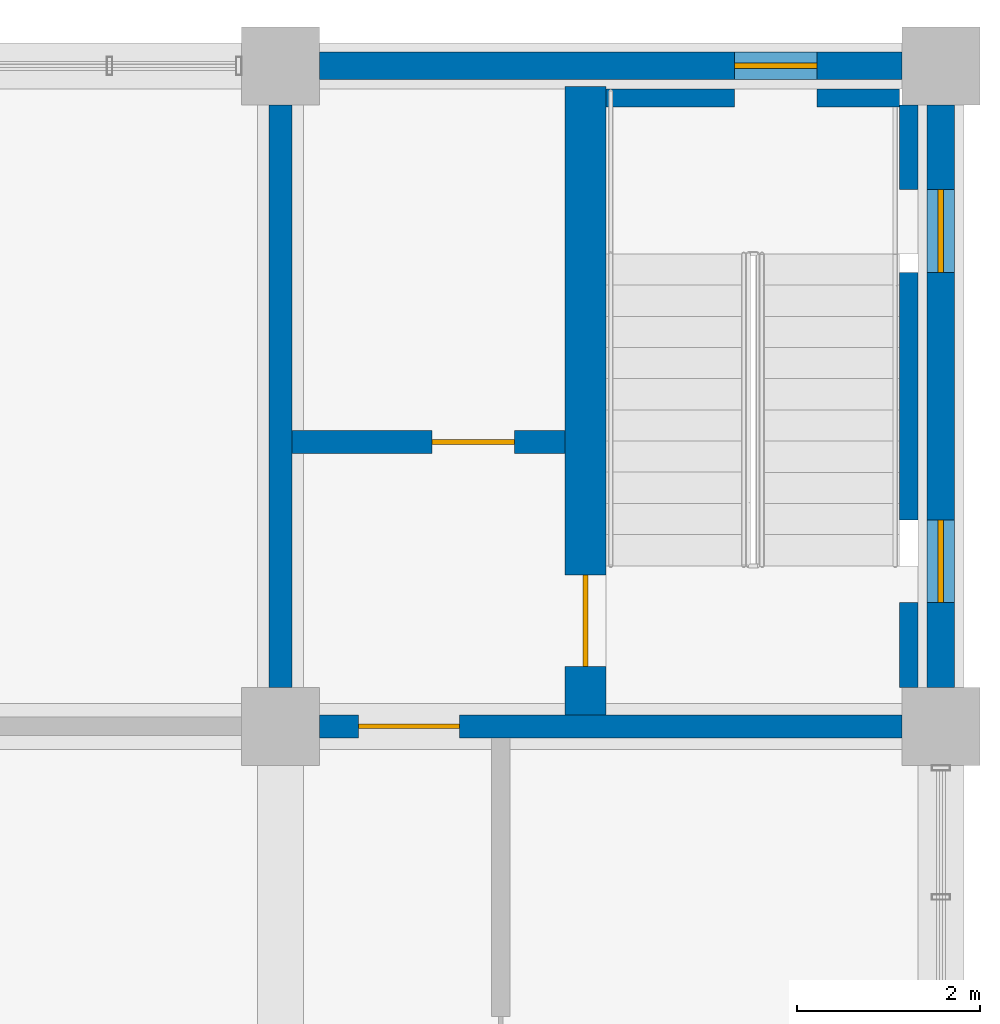
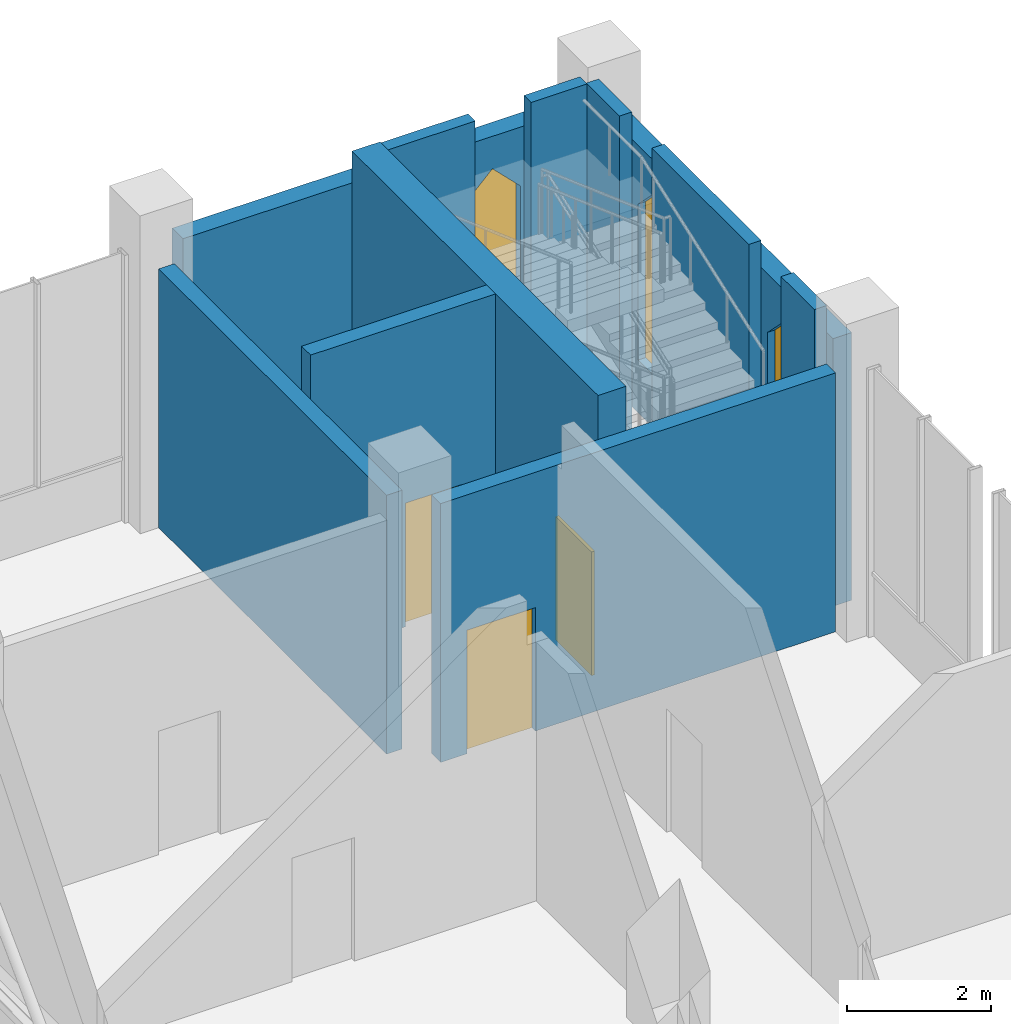
# One storey, part 76 of 83: 11 walls, 3 doors, 3 windows, 6 openings.
"""IFC4 building model written with IfcOpenShell, lengths in metres."""

from ifc_helpers import new_model, si_unit, direction, frame, frame_2d, origin, place, context, subcontext, project, spatial, polyline, rectangle, outline, extrude, material, layer, layer_set, type_object, element, fill, save


model = new_model("IFC4")

# Units and contexts
model_context = context("Model", 3, precision=1e-05, world=origin(), true_north=direction((0.0, 1.0)))
body_context = subcontext(model_context, "Body", "Model", "MODEL_VIEW")
ifc_project = project(units=[si_unit("LENGTHUNIT", "METRE"), si_unit("AREAUNIT", "SQUARE_METRE"), si_unit("VOLUMEUNIT", "CUBIC_METRE"), si_unit("PLANEANGLEUNIT", "RADIAN"), si_unit("MASSUNIT", "GRAM", prefix="KILO")], contexts=[model_context])

# Site, building, storey
site_placement = place(None, origin())
site = spatial("IfcSite", under=ifc_project, at=site_placement, CompositionType="ELEMENT")
building_placement = place(site_placement, origin())
building = spatial("IfcBuilding", under=site, at=building_placement, Name="Silangan Lancet Faculty of Sciences", CompositionType="ELEMENT")
storey_placement = place(building_placement, frame((0.0, 0.0, 11.39990234375)))
storey = spatial("IfcBuildingStorey", under=building, at=storey_placement, Name="L02", CompositionType="ELEMENT", Elevation=11.39990234375)

# Wall, openings, windows
ifc_material_1 = material(Name="Concrete C40/50 precast", Category="concrete")
ifc_layer_1 = layer(ifc_material_1, 0.300048828125)
ifc_layer_set_1 = layer_set([ifc_layer_1], Name="Concrete C40/50 precast")
wall_type_1 = type_object("IfcWallType", Name="EW2 Turret enclosure wall", PredefinedType="STANDARD", material=ifc_layer_set_1)
wall_1_placement = place(storey_placement, frame((86.39990234375, 50.824951171875, 0.0), z_axis=(0.0, 0.0, 1.0), x_axis=(0.0, 1.0, 0.0)))
wall_1 = element("IfcWall", 1, at=wall_1_placement, inside=storey, type_object=wall_type_1, Name="EW-L02-E-EB-07", PredefinedType="STANDARD", context=body_context, shape_type="SweptSolid", body=[
    extrude(rectangle(XDim=6.35009765625, YDim=0.300048828125, at=frame_2d((3.175048828125, 0.0))), origin(), (0.0, 0.0, 1.0), 4.550048828125),
])
opening_1_placement = place(wall_1_placement, frame((0.925048828125, 0.0, 0.89990234375)))
opening_1 = element("IfcOpeningElement", 2, at=opening_1_placement, cuts=wall_1, Name="Opening W8", PredefinedType="OPENING", context=body_context, shape_type="SweptSolid", body=[
    extrude(outline(polyline([(0.0, 0.0), (0.89990234375, 0.0), (0.89990234375, 2.650146484375), (0.449951171875, 3.10009765625), (0.0, 2.650146484375), (0.0, 0.0)])), frame((0.0, 0.159912109375, 0.0), z_axis=(0.0, -1.0, 0.0), x_axis=(1.0, 0.0, 0.0)), (0.0, 0.0, 1.0), 0.320068359375),
])
opening_2_placement = place(wall_1_placement, frame((4.52490234375, 0.0, 0.89990234375)))
opening_2 = element("IfcOpeningElement", 3, at=opening_2_placement, cuts=wall_1, Name="Opening W8", PredefinedType="OPENING", context=body_context, shape_type="SweptSolid", body=[
    extrude(outline(polyline([(0.0, 0.0), (0.89990234375, 0.0), (0.89990234375, 2.650146484375), (0.449951171875, 3.10009765625), (0.0, 2.650146484375), (0.0, 0.0)])), frame((0.0, 0.159912109375, 0.0), z_axis=(0.0, -1.0, 0.0), x_axis=(1.0, 0.0, 0.0)), (0.0, 0.0, 1.0), 0.320068359375),
])
ifc_material_2 = material(Name="Aluminium frame, laminated double glazing", Category="aluminium")
window_type = type_object("IfcWindowType", Name="W8 Lancet window 900 x 3100", PartitioningType="SINGLE_PANEL", PredefinedType="WINDOW", material=ifc_material_2)
window_1_placement = place(opening_1_placement, origin())
window_1 = element("IfcWindow", 4, at=window_1_placement, inside=storey, type_object=window_type, Name="WIN-L02-E-EB-07a", OverallHeight=3.10009765625, OverallWidth=0.89990234375, PartitioningType="SINGLE_PANEL", PredefinedType="WINDOW", context=body_context, shape_type="SweptSolid", body=[
    extrude(outline(polyline([(0.0, 0.0), (0.89990234375, 0.0), (0.89990234375, 2.650146484375), (0.449951171875, 3.10009765625), (0.0, 2.650146484375), (0.0, 0.0)])), frame((0.0, 0.030029296875, 0.0), z_axis=(0.0, -1.0, 0.0), x_axis=(1.0, 0.0, 0.0)), (0.0, 0.0, 1.0), 0.06005859375),
])
fill(opening_1, window_1)
window_2_placement = place(opening_2_placement, origin())
window_2 = element("IfcWindow", 5, at=window_2_placement, inside=storey, type_object=window_type, Name="WIN-L02-E-EB-07b", OverallHeight=3.10009765625, OverallWidth=0.89990234375, PartitioningType="SINGLE_PANEL", PredefinedType="WINDOW", context=body_context, shape_type="SweptSolid", body=[
    extrude(outline(polyline([(0.0, 0.0), (0.89990234375, 0.0), (0.89990234375, 2.650146484375), (0.449951171875, 3.10009765625), (0.0, 2.650146484375), (0.0, 0.0)])), frame((0.0, 0.030029296875, 0.0), z_axis=(0.0, -1.0, 0.0), x_axis=(1.0, 0.0, 0.0)), (0.0, 0.0, 1.0), 0.06005859375),
])
fill(opening_2, window_2)

# Wall, opening, window
wall_2_placement = place(storey_placement, frame((85.97509765625, 57.60009765625, 0.0), z_axis=(0.0, 0.0, 1.0), x_axis=(-1.0, 0.0, 0.0)))
wall_2 = element("IfcWall", 6, at=wall_2_placement, inside=storey, type_object=wall_type_1, Name="EW-L02-N-EB-00", PredefinedType="STANDARD", context=body_context, shape_type="SweptSolid", body=[
    extrude(rectangle(XDim=6.35009765625, YDim=0.300048828125, at=frame_2d((3.175048828125, 0.0))), origin(), (0.0, 0.0, 1.0), 4.550048828125),
])
opening_3_placement = place(wall_2_placement, frame((0.925048828125, 0.0, 0.89990234375)))
opening_3 = element("IfcOpeningElement", 7, at=opening_3_placement, cuts=wall_2, Name="Opening W8", PredefinedType="OPENING", context=body_context, shape_type="SweptSolid", body=[
    extrude(outline(polyline([(0.0, 0.0), (0.89990234375, 0.0), (0.89990234375, 2.650146484375), (0.449951171875, 3.10009765625), (0.0, 2.650146484375), (0.0, 0.0)])), frame((0.0, 0.159912109375, 0.0), z_axis=(0.0, -1.0, 0.0), x_axis=(1.0, 0.0, 0.0)), (0.0, 0.0, 1.0), 0.320068359375),
])
window_3_placement = place(opening_3_placement, origin())
window_3 = element("IfcWindow", 8, at=window_3_placement, inside=storey, type_object=window_type, Name="WIN-L02-N-EB-00a", OverallHeight=3.10009765625, OverallWidth=0.89990234375, PartitioningType="SINGLE_PANEL", PredefinedType="WINDOW", context=body_context, shape_type="SweptSolid", body=[
    extrude(outline(polyline([(0.0, 0.0), (0.89990234375, 0.0), (0.89990234375, 2.650146484375), (0.449951171875, 3.10009765625), (0.0, 2.650146484375), (0.0, 0.0)])), frame((0.0, 0.030029296875, 0.0), z_axis=(0.0, -1.0, 0.0), x_axis=(1.0, 0.0, 0.0)), (0.0, 0.0, 1.0), 0.06005859375),
])
fill(opening_3, window_3)

# Wall, opening, door
ifc_material_3 = material(Name="Concrete C40/50", Category="concrete")
ifc_layer_2 = layer(ifc_material_3, 0.449951171875)
ifc_layer_set_2 = layer_set([ifc_layer_2], Name="Concrete C40/50")
wall_type_2 = type_object("IfcWallType", Name="TURRET CORE WALL RC 450", PredefinedType="SHEAR", material=ifc_layer_set_2)
wall_3_placement = place(storey_placement, frame((82.52490234375, 50.52490234375, 0.0), z_axis=(0.0, 0.0, 1.0), x_axis=(0.0, 1.0, 0.0)))
wall_3 = element("IfcWall", 9, at=wall_3_placement, inside=storey, type_object=wall_type_2, Name="WALL-L02-EB-B-WELL", PredefinedType="SHEAR", context=body_context, shape_type="SweptSolid", body=[
    extrude(rectangle(XDim=6.85009765625, YDim=0.449951171875, at=frame_2d((3.425048828125, 0.0))), origin(), (0.0, 0.0, 1.0), 5.150146484375),
])
opening_4_placement = place(wall_3_placement, frame((0.52490234375, 0.0, 0.0)))
opening_4 = element("IfcOpeningElement", 10, at=opening_4_placement, cuts=wall_3, Name="Opening L02-704", PredefinedType="OPENING", context=body_context, shape_type="SweptSolid", body=[
    extrude(rectangle(XDim=1.0, YDim=2.10009765625, at=frame_2d((0.5, 1.050048828125))), frame((0.0, 0.23486328125, 0.0), z_axis=(0.0, -1.0, 0.0), x_axis=(1.0, 0.0, 0.0)), (0.0, 0.0, 1.0), 0.469970703125),
])
ifc_material_4 = material(Name="Steel fire door set", Category="steel")
door_type_1 = type_object("IfcDoorType", Name="D71 Stair enclosure door 1000x2100", OperationType="SINGLE_SWING_LEFT", PredefinedType="DOOR", material=ifc_material_4)
door_1_placement = place(opening_4_placement, frame((1.0, 0.0, 0.0), z_axis=(0.0, 0.0, 1.0), x_axis=(-1.0, 0.0, 0.0)))
door_1 = element("IfcDoor", 11, at=door_1_placement, inside=storey, type_object=door_type_1, Name="Stair enclosure door EB-B L02", OperationType="SINGLE_SWING_RIGHT", OverallHeight=2.10009765625, OverallWidth=1.0, PredefinedType="DOOR", context=body_context, shape_type="SweptSolid", body=[
    extrude(rectangle(XDim=1.0, YDim=2.10009765625, at=frame_2d((0.5, 1.050048828125))), frame((0.0, 0.025146484375, 0.0), z_axis=(0.0, -1.0, 0.0), x_axis=(1.0, 0.0, 0.0)), (0.0, 0.0, 1.0), 0.050048828125),
])
fill(opening_4, door_1)

# Walls
ifc_material_5 = material(Name="Concrete C40/50", Category="concrete")
ifc_layer_3 = layer(ifc_material_5, 0.199951171875)
ifc_layer_set_3 = layer_set([ifc_layer_3], Name="Concrete C40/50")
wall_type_3 = type_object("IfcWallType", Name="TURRET LINING WALL RC 200", PredefinedType="SHEAR", material=ifc_layer_set_3)
wall_4_placement = place(storey_placement, frame((86.050048828125, 50.824951171875, -0.25), z_axis=(0.0, 0.0, 1.0), x_axis=(0.0, 1.0, 0.0)))
element("IfcWall", 12, at=wall_4_placement, inside=storey, type_object=wall_type_3, Name="WALL-L02-EB-B-WL", PredefinedType="SHEAR", context=body_context, shape_type="SweptSolid", body=[
    extrude(rectangle(XDim=0.925048828125, YDim=0.199951171875, at=frame_2d((0.46240234375, 0.0))), origin(), (0.0, 0.0, 1.0), 5.400146484375),
])
wall_5_placement = place(storey_placement, frame((86.050048828125, 52.64990234375, -0.25), z_axis=(0.0, 0.0, 1.0), x_axis=(0.0, 1.0, 0.0)))
element("IfcWall", 13, at=wall_5_placement, inside=storey, type_object=wall_type_3, Name="WALL-L02-EB-B-WL-2", PredefinedType="SHEAR", context=body_context, shape_type="SweptSolid", body=[
    extrude(rectangle(XDim=2.7001953125, YDim=0.199951171875, at=frame_2d((1.35009765625, 0.0))), origin(), (0.0, 0.0, 1.0), 5.400146484375),
])
wall_6_placement = place(storey_placement, frame((86.050048828125, 56.25, -0.25), z_axis=(0.0, 0.0, 1.0), x_axis=(0.0, 1.0, 0.0)))
element("IfcWall", 14, at=wall_6_placement, inside=storey, type_object=wall_type_3, Name="WALL-L02-EB-B-WL-3", PredefinedType="SHEAR", context=body_context, shape_type="SweptSolid", body=[
    extrude(rectangle(XDim=0.925048828125, YDim=0.199951171875, at=frame_2d((0.46240234375, 0.0))), origin(), (0.0, 0.0, 1.0), 5.400146484375),
])
wall_7_placement = place(storey_placement, frame((82.75, 57.25, -0.25), z_axis=(0.0, 0.0, 1.0), x_axis=(1.0, 0.0, 0.0)))
element("IfcWall", 15, at=wall_7_placement, inside=storey, type_object=wall_type_3, Name="WALL-L02-EB-B-WLD", PredefinedType="SHEAR", context=body_context, shape_type="SweptSolid", body=[
    extrude(rectangle(XDim=1.39990234375, YDim=0.199951171875, at=frame_2d((0.699951171875, 0.0))), origin(), (0.0, 0.0, 1.0), 5.400146484375),
])
wall_8_placement = place(storey_placement, frame((85.050048828125, 57.25, -0.25), z_axis=(0.0, 0.0, 1.0), x_axis=(1.0, 0.0, 0.0)))
element("IfcWall", 16, at=wall_8_placement, inside=storey, type_object=wall_type_3, Name="WALL-L02-EB-B-WLD-2", PredefinedType="SHEAR", context=body_context, shape_type="SweptSolid", body=[
    extrude(rectangle(XDim=0.89990234375, YDim=0.199951171875, at=frame_2d((0.449951171875, 0.0))), origin(), (0.0, 0.0, 1.0), 5.400146484375),
])

# Wall, opening, door
ifc_material_6 = material(Name="Concrete C40/50", Category="concrete")
ifc_layer_4 = layer(ifc_material_6, 0.25)
ifc_layer_set_4 = layer_set([ifc_layer_4], Name="Concrete C40/50")
wall_type_4 = type_object("IfcWallType", Name="TURRET WALL RC 250", PredefinedType="SHEAR", material=ifc_layer_set_4)
wall_9_placement = place(storey_placement, frame((79.625, 50.39990234375, 0.0), z_axis=(0.0, 0.0, 1.0), x_axis=(1.0, 0.0, 0.0)))
wall_9 = element("IfcWall", 17, at=wall_9_placement, inside=storey, type_object=wall_type_4, Name="WALL-L02-EB-B-V", PredefinedType="SHEAR", context=body_context, shape_type="SweptSolid", body=[
    extrude(rectangle(XDim=6.35009765625, YDim=0.25, at=frame_2d((3.175048828125, 0.0))), origin(), (0.0, 0.0, 1.0), 4.400146484375),
])
opening_5_placement = place(wall_9_placement, frame((0.425048828125, 0.0, 0.0)))
opening_5 = element("IfcOpeningElement", 18, at=opening_5_placement, cuts=wall_9, Name="Opening L02-705", PredefinedType="OPENING", context=body_context, shape_type="SweptSolid", body=[
    extrude(rectangle(XDim=1.10009765625, YDim=2.10009765625, at=frame_2d((0.550048828125, 1.050048828125))), frame((0.0, 0.135009765625, 0.0), z_axis=(0.0, -1.0, 0.0), x_axis=(1.0, 0.0, 0.0)), (0.0, 0.0, 1.0), 0.27001953125),
])
ifc_material_7 = material(Name="Steel fire door set", Category="steel")
door_type_2 = type_object("IfcDoorType", Name="D70 Stair vestibule door 1100x2100", OperationType="SINGLE_SWING_LEFT", PredefinedType="DOOR", material=ifc_material_7)
door_2_placement = place(opening_5_placement, origin())
door_2 = element("IfcDoor", 19, at=door_2_placement, inside=storey, type_object=door_type_2, Name="Stair vestibule door EB-B L02", OperationType="SINGLE_SWING_LEFT", OverallHeight=2.10009765625, OverallWidth=1.10009765625, PredefinedType="DOOR", context=body_context, shape_type="SweptSolid", body=[
    extrude(rectangle(XDim=1.10009765625, YDim=2.10009765625, at=frame_2d((0.550048828125, 1.050048828125))), frame((0.0, 0.02490234375, 0.0), z_axis=(0.0, -1.0, 0.0), x_axis=(1.0, 0.0, 0.0)), (0.0, 0.0, 1.0), 0.050048828125),
])
fill(opening_5, door_2)

# Wall
wall_10_placement = place(storey_placement, frame((79.199951171875, 50.824951171875, 0.0), z_axis=(0.0, 0.0, 1.0), x_axis=(0.0, 1.0, 0.0)))
element("IfcWall", 20, at=wall_10_placement, inside=storey, type_object=wall_type_4, Name="WALL-L02-EB-B-O", PredefinedType="SHEAR", context=body_context, shape_type="SweptSolid", body=[
    extrude(rectangle(XDim=6.35009765625, YDim=0.25, at=frame_2d((3.175048828125, 0.0))), origin(), (0.0, 0.0, 1.0), 4.400146484375),
])

# Wall, opening, door
wall_11_placement = place(storey_placement, frame((79.324951171875, 53.5, 0.0), z_axis=(0.0, 0.0, 1.0), x_axis=(1.0, 0.0, 0.0)))
wall_11 = element("IfcWall", 21, at=wall_11_placement, inside=storey, type_object=wall_type_4, Name="WALL-L02-EB-B-RISER", PredefinedType="SHEAR", context=body_context, shape_type="SweptSolid", body=[
    extrude(rectangle(XDim=2.97509765625, YDim=0.25, at=frame_2d((1.487548828125, 0.0))), origin(), (0.0, 0.0, 1.0), 5.150146484375),
])
opening_6_placement = place(wall_11_placement, frame((1.52490234375, 0.0, 0.0)))
opening_6 = element("IfcOpeningElement", 22, at=opening_6_placement, cuts=wall_11, Name="Opening L02-706", PredefinedType="OPENING", context=body_context, shape_type="SweptSolid", body=[
    extrude(rectangle(XDim=0.89990234375, YDim=2.10009765625, at=frame_2d((0.449951171875, 1.050048828125))), frame((0.0, 0.135009765625, 0.0), z_axis=(0.0, -1.0, 0.0), x_axis=(1.0, 0.0, 0.0)), (0.0, 0.0, 1.0), 0.27001953125),
])
ifc_material_8 = material(Name="Steel fire door set", Category="steel")
door_type_3 = type_object("IfcDoorType", Name="D72 Riser access door 900x2100", OperationType="SINGLE_SWING_LEFT", PredefinedType="DOOR", material=ifc_material_8)
door_3_placement = place(opening_6_placement, origin())
door_3 = element("IfcDoor", 23, at=door_3_placement, inside=storey, type_object=door_type_3, Name="Riser access door EB-B L02", OperationType="SINGLE_SWING_LEFT", OverallHeight=2.10009765625, OverallWidth=0.89990234375, PredefinedType="DOOR", context=body_context, shape_type="SweptSolid", body=[
    extrude(rectangle(XDim=0.89990234375, YDim=2.10009765625, at=frame_2d((0.449951171875, 1.050048828125))), frame((0.0, 0.02490234375, 0.0), z_axis=(0.0, -1.0, 0.0), x_axis=(1.0, 0.0, 0.0)), (0.0, 0.0, 1.0), 0.050048828125),
])
fill(opening_6, door_3)

save(model, "model.ifc")
